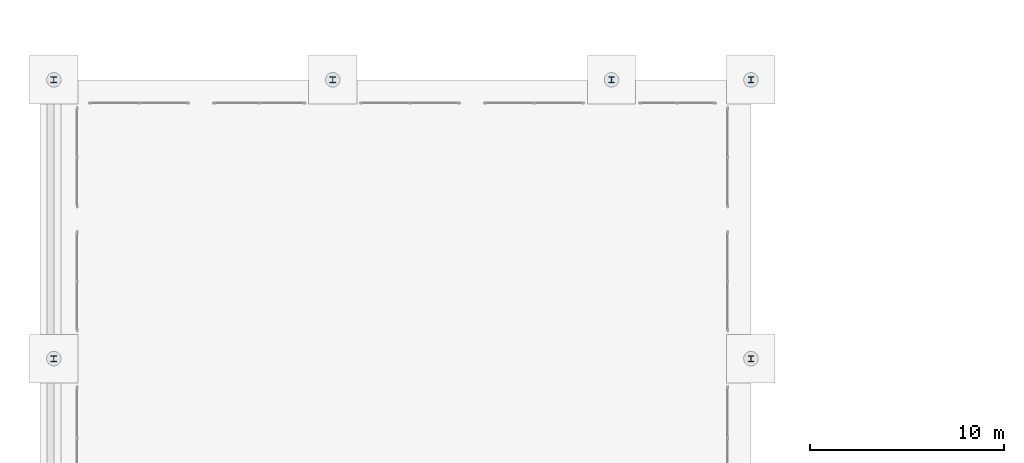
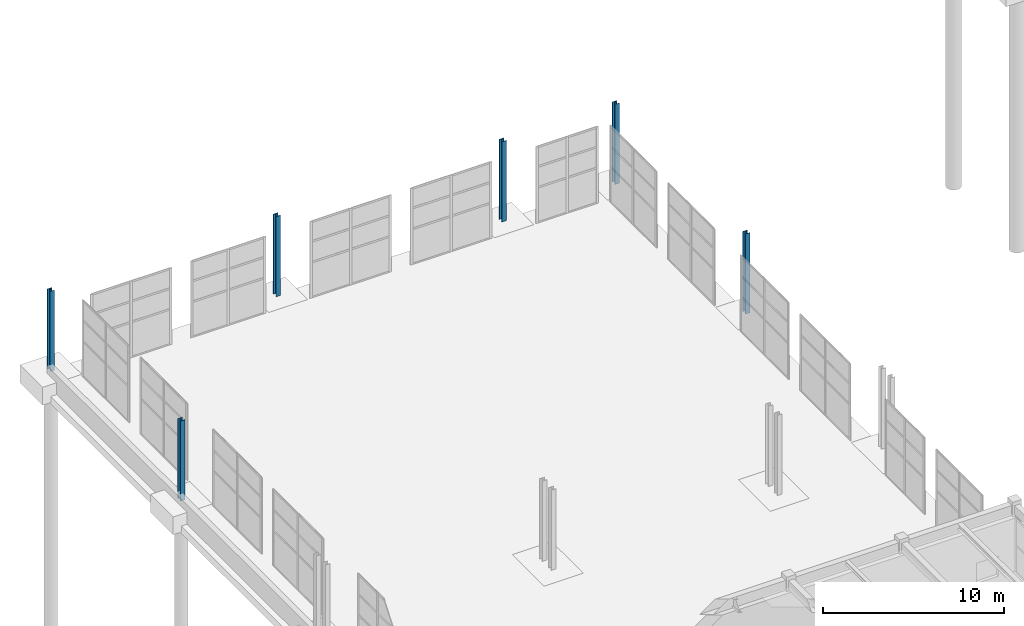
# One storey, part 12 of 91: 6 columns.
"""IFC4 building model written with IfcOpenShell, lengths in metres."""

import ifcopenshell
import ifcopenshell.guid

model = None  # the IFC model being written
_history = None  # IfcOwnerHistory: only IFC2X3 demands one
_inside = {}  # id of a spatial element -> (the spatial element, [elements in it])
_under = {}  # id of a project, library or spatial element -> (it, [spatial elements below it])
_declared = {}  # id of a project -> (the project, [libraries it declares])
_typed = {}  # id of a type object -> (the type object, [elements of that type])
_made_of = {}  # id of a material, layer set ... -> (it, [elements and type objects made of it])


def new_model(schema):
    """Start an empty IFC model of exactly this schema.

    Asked for "IFC4X3", IfcOpenShell would pick the latest addendum, in which some entities
    have other attributes; the version numbers below select the first issue.
    IFC2X3 requires an IfcOwnerHistory on every rooted entity: one is made here for all.
    """
    global model, _history
    if schema == "IFC4X3":
        model = ifcopenshell.file(schema_version=(4, 3, 0, 0))
    else:
        model = ifcopenshell.file(schema=schema)
    _inside.clear()
    _under.clear()
    _declared.clear()
    _typed.clear()
    _made_of.clear()
    _history = None
    if model.schema == "IFC2X3":
        org = make("IfcOrganization", Name="unknown")
        user = make(
            "IfcPersonAndOrganization",
            ThePerson=make("IfcPerson", FamilyName="unknown"),
            TheOrganization=org,
        )
        app = make(
            "IfcApplication",
            ApplicationDeveloper=org,
            Version="unknown",
            ApplicationFullName="unknown",
            ApplicationIdentifier="unknown",
        )
        _history = make(
            "IfcOwnerHistory",
            OwningUser=user,
            OwningApplication=app,
            ChangeAction="ADDED",
            CreationDate=0,
        )
    return model


def make(cls, **values):
    """One entity of the class cls with the attributes given. An attribute that is None is left unset."""
    return model.create_entity(
        cls, **{name: value for name, value in values.items() if value is not None}
    )


def rooted(cls, **values):
    """An entity with a GlobalId (a new one), such as an element, a storey or a relation."""
    return make(cls, GlobalId=ifcopenshell.guid.new(), OwnerHistory=_history, **values)


def si_unit(unit_type, name, prefix=None):
    """IfcSIUnit, for example si_unit("LENGTHUNIT", "METRE", prefix="MILLI")."""
    return make("IfcSIUnit", UnitType=unit_type, Prefix=prefix, Name=name)


def assignment(units):
    """IfcUnitAssignment: the units of a project."""
    return None if units is None else make("IfcUnitAssignment", Units=units)


def point(xyz):
    """IfcCartesianPoint."""
    return None if xyz is None else make("IfcCartesianPoint", Coordinates=xyz)


def direction(xyz):
    """IfcDirection."""
    return None if xyz is None else make("IfcDirection", DirectionRatios=xyz)


def frame(location, z_axis=None, x_axis=None):
    """IfcAxis2Placement3D, a coordinate frame: its origin and axes. An axis left out is left unset."""
    return make(
        "IfcAxis2Placement3D",
        Location=point(location),
        Axis=direction(z_axis),
        RefDirection=direction(x_axis),
    )


def frame_2d(location, x_axis=None):
    """IfcAxis2Placement2D, a coordinate frame in the plane: its origin and x axis."""
    return make(
        "IfcAxis2Placement2D", Location=point(location), RefDirection=direction(x_axis)
    )


def origin():
    """The frame at (0, 0, 0) with its axes left unset."""
    return frame((0.0, 0.0, 0.0))


def origin_2d():
    """The frame at (0, 0) in the plane with its x axis left unset."""
    return frame_2d((0.0, 0.0))


def place(relative_to, where):
    """IfcLocalPlacement: puts the frame where relative to a parent placement (None: the world)."""
    return make(
        "IfcLocalPlacement", PlacementRelTo=relative_to, RelativePlacement=where
    )


def context(
    kind, dimensions, precision=None, world=None, true_north=None, identifier=None
):
    """IfcGeometricRepresentationContext, for example the 3D "Model" context."""
    return make(
        "IfcGeometricRepresentationContext",
        ContextIdentifier=identifier,
        ContextType=kind,
        CoordinateSpaceDimension=dimensions,
        Precision=precision,
        WorldCoordinateSystem=world,
        TrueNorth=true_north,
    )


def subcontext(parent, identifier, kind, view, scale=None):
    """IfcGeometricRepresentationSubContext, for example "Body" below "Model"."""
    return make(
        "IfcGeometricRepresentationSubContext",
        ContextIdentifier=identifier,
        ContextType=kind,
        ParentContext=parent,
        TargetScale=scale,
        TargetView=view,
    )


def project(units=None, contexts=None):
    """IfcProject with its units and contexts."""
    return rooted(
        "IfcProject",
        Name="project",
        RepresentationContexts=contexts,
        UnitsInContext=assignment(units),
    )


def spatial(cls, under=None, at=None, **own):
    """A site, building, storey or space (cls), placed at a placement, below another one or the project."""
    s = rooted(cls, ObjectPlacement=at, **own)
    if under is not None:
        _under.setdefault(under.id(), (under, []))[1].append(s)
    return s


def profile(cls, at=None, kind="AREA", **sizes):
    """A parametric profile (cls). Its sizes go by their IFC names, for example OverallWidth=200.0."""
    return make(cls, ProfileType=kind, Position=at, **sizes)


def i_section(**sizes):
    """IfcIShapeProfileDef."""
    return profile("IfcIShapeProfileDef", **sizes)


def extrude(swept, where, along, depth):
    """IfcExtrudedAreaSolid: the profile swept, set in the frame where, extruded along a direction by depth."""
    return make(
        "IfcExtrudedAreaSolid",
        SweptArea=swept,
        Position=where,
        ExtrudedDirection=direction(along),
        Depth=depth,
    )


def shape(context_of_items, identifier, shape_type, items):
    """IfcShapeRepresentation: the items that make up one representation, for example the "Body"."""
    return make(
        "IfcShapeRepresentation",
        ContextOfItems=context_of_items,
        RepresentationIdentifier=identifier,
        RepresentationType=shape_type,
        Items=items,
    )


def material(Name=None, Category=None):
    """IfcMaterial."""
    return make("IfcMaterial", Name=Name, Category=Category)


def material_profile(
    of_material, cross_section, Name=None, Category=None, Priority=None
):
    """IfcMaterialProfile: a cross section and its material."""
    return make(
        "IfcMaterialProfile",
        Name=Name,
        Material=of_material,
        Profile=cross_section,
        Priority=Priority,
        Category=Category,
    )


def profile_set(profiles, Name=None, composite=None):
    """IfcMaterialProfileSet."""
    return make(
        "IfcMaterialProfileSet",
        Name=Name,
        MaterialProfiles=profiles,
        CompositeProfile=composite,
    )


def made_of(thing, what):
    """Note that an element or type object is made of a material, layer set ...; save() writes the relation."""
    if what is not None:
        _made_of.setdefault(what.id(), (what, []))[1].append(thing)
    return thing


def type_object(cls, material=None, **own):
    """A type object (cls), such as IfcWallType, which elements share."""
    return made_of(rooted(cls, **own), material)


def element(
    cls,
    number,
    at=None,
    inside=None,
    cuts=None,
    type_object=None,
    material=None,
    context=None,
    identifier="Body",
    shape_type=None,
    held_by="IfcProductDefinitionShape",
    body=None,
    shapes=None,
    **own,
):
    """One element of the class cls, such as IfcWall. Its Tag is "e" and its number.

    at: its placement. inside: the storey or other place that contains it. cuts: it is an
    opening in that element (IfcRelVoidsElement). A single representation is given by context,
    identifier, shape_type and body (its items); several are given by shapes. held_by: the class
    of the entity that holds the representations. save() writes the other relations.
    """
    e = rooted(cls, Tag="e%d" % number, ObjectPlacement=at, **own)
    if body is not None:
        shapes = [shape(context, identifier, shape_type, body)]
    if shapes is not None:
        e.Representation = make(held_by, Representations=shapes)
    if inside is not None:
        _inside.setdefault(inside.id(), (inside, []))[1].append(e)
    if cuts is not None:
        rooted(
            "IfcRelVoidsElement", RelatingBuildingElement=cuts, RelatedOpeningElement=e
        )
    if type_object is not None:
        _typed.setdefault(type_object.id(), (type_object, []))[1].append(e)
    return made_of(e, material)


def aggregate(whole, parts):
    """IfcRelAggregates: a whole, such as a stair, and the parts it consists of."""
    return rooted("IfcRelAggregates", RelatingObject=whole, RelatedObjects=parts)


def save(model, path):
    """Write the relations noted so far, then the file.

    IfcRelAggregates (storeys below a building ...), IfcRelContainedInSpatialStructure (elements
    in a storey), IfcRelDefinesByType, IfcRelAssociatesMaterial and IfcRelDeclares: one each for
    every whole, place, type object, material and project.
    """
    for whole, parts in _under.values():
        aggregate(whole, parts)
    for where, things in _inside.values():
        rooted(
            "IfcRelContainedInSpatialStructure",
            RelatedElements=things,
            RelatingStructure=where,
        )
    for kind, things in _typed.values():
        rooted("IfcRelDefinesByType", RelatedObjects=things, RelatingType=kind)
    for what, things in _made_of.values():
        rooted("IfcRelAssociatesMaterial", RelatedObjects=things, RelatingMaterial=what)
    for by, libraries in _declared.values():
        rooted("IfcRelDeclares", RelatingContext=by, RelatedDefinitions=libraries)
    model.write(path)


model = new_model("IFC4")

# Units and contexts
model_context = context("Model", 3, precision=1e-05, world=origin(), true_north=direction((0.0, 1.0)))
body_context = subcontext(model_context, "Body", "Model", "MODEL_VIEW")
ifc_project = project(units=[si_unit("LENGTHUNIT", "METRE"), si_unit("AREAUNIT", "SQUARE_METRE"), si_unit("VOLUMEUNIT", "CUBIC_METRE"), si_unit("PLANEANGLEUNIT", "RADIAN"), si_unit("MASSUNIT", "GRAM", prefix="KILO")], contexts=[model_context])

# Site, building, storey
site_placement = place(None, origin())
site = spatial("IfcSite", under=ifc_project, at=site_placement, CompositionType="ELEMENT")
building_placement = place(site_placement, origin())
building = spatial("IfcBuilding", under=site, at=building_placement, Name="Bramveld Media Centre", CompositionType="ELEMENT")
storey_placement = place(building_placement, origin())
storey = spatial("IfcBuildingStorey", under=building, at=storey_placement, Name="L00", CompositionType="ELEMENT", Elevation=0.0)

# Columns
ifc_material = material(Name="Steel S355J2", Category="steel")
ifc_material_profile = material_profile(ifc_material, i_section(OverallWidth=0.300048828125, OverallDepth=0.300048828125, WebThickness=0.010986328125, FlangeThickness=0.01904296875, FilletRadius=0.027099609375, at=origin_2d()), Name="HEB 300")
ifc_profile_set = profile_set([ifc_material_profile], Name="Steel S355J2")
column_type = type_object("IfcColumnType", Name="SCOL-EXT-HEB-300", PredefinedType="COLUMN", material=ifc_profile_set)
for number, where, z_axis, x_axis, name in (
    (1, (0.0, 97.60009765625, 0.0), (0.0, 0.0, 1.0), (1.0, 0.0, 0.0), "Portal colonnade column 17"),
    (2, (36.0, 97.60009765625, 0.0), (0.0, 0.0, 1.0), (1.0, 0.0, 0.0), "Portal colonnade column 18"),
    (3, (0.0, 112.0, 0.0), (0.0, 0.0, 1.0), (1.0, 0.0, 0.0), "Portal colonnade column 19"),
    (4, (14.39990234375, 112.0, 0.0), (0.0, 0.0, 1.0), (1.0, 0.0, 0.0), "Portal colonnade column 20"),
    (5, (28.800048828125, 112.0, 0.0), (0.0, 0.0, 1.0), (1.0, 0.0, 0.0), "Portal colonnade column 21"),
    (6, (36.0, 112.0, 0.0), (0.0, 0.0, 1.0), (1.0, 0.0, 0.0), "Portal colonnade column 22"),
):
    element("IfcColumn", number, at=place(storey_placement, frame(where, z_axis=z_axis, x_axis=x_axis)), inside=storey, type_object=column_type, Name=name, PredefinedType="COLUMN", context=body_context, shape_type="SweptSolid", body=[
        extrude(i_section(OverallWidth=0.300048828125, OverallDepth=0.300048828125, WebThickness=0.010986328125, FlangeThickness=0.01904296875, FilletRadius=0.027099609375, at=origin_2d()), origin(), (0.0, 0.0, 1.0), 5.39990234375),
    ])

save(model, "model.ifc")
